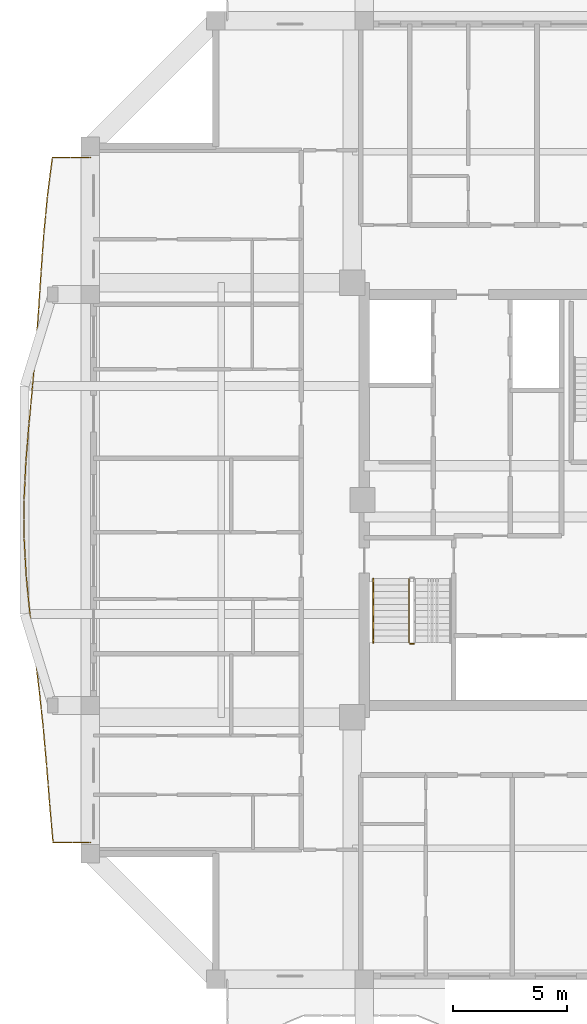
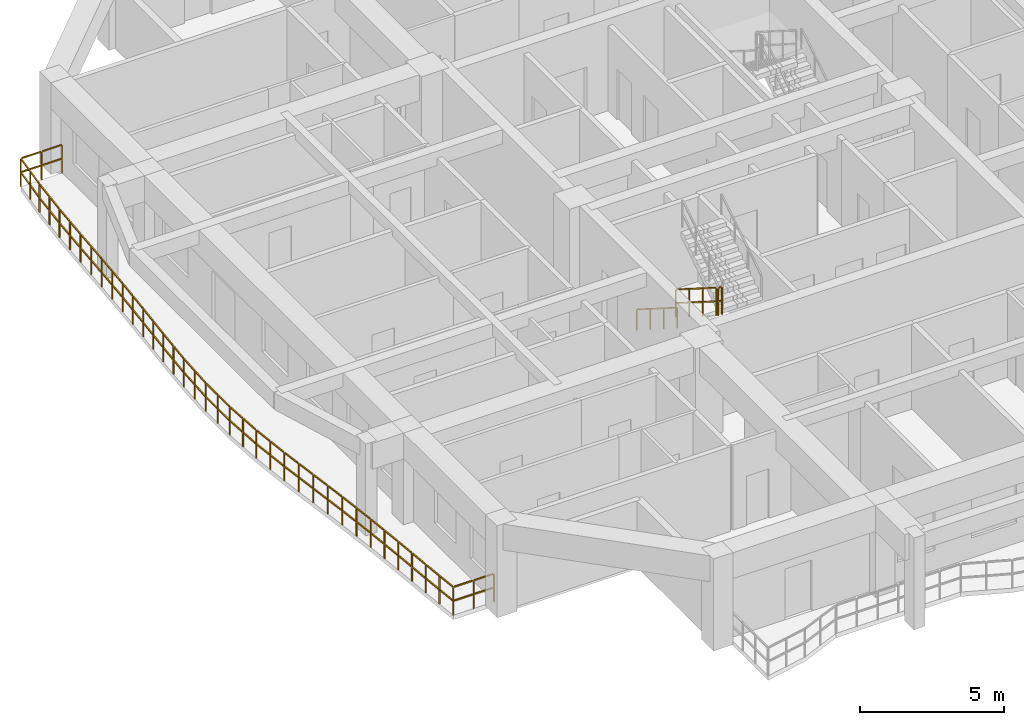
# One storey, part 11 of 14: 4 railings.
"""IFC4 building model written with IfcOpenShell, lengths in metres."""

from ifc_helpers import new_model, si_unit, direction, frame, origin, origin_2d, place, context, subcontext, project, spatial, rectangle, extrude, material, type_object, element, save


model = new_model("IFC4")

# Units and contexts
model_context = context("Model", 3, precision=1e-05, world=origin(), true_north=direction((0.0, 1.0)))
body_context = subcontext(model_context, "Body", "Model", "MODEL_VIEW")
ifc_project = project(units=[si_unit("LENGTHUNIT", "METRE"), si_unit("AREAUNIT", "SQUARE_METRE"), si_unit("VOLUMEUNIT", "CUBIC_METRE"), si_unit("PLANEANGLEUNIT", "RADIAN"), si_unit("MASSUNIT", "GRAM", prefix="KILO")], contexts=[model_context])

# Site, building, storey
site_placement = place(None, origin())
site = spatial("IfcSite", under=ifc_project, at=site_placement, CompositionType="ELEMENT")
building_placement = place(site_placement, origin())
building = spatial("IfcBuilding", under=site, at=building_placement, Name="Saelheon Loggia Tower", CompositionType="ELEMENT")
storey_placement = place(building_placement, frame((0.0, 0.0, 202.60009765625)))
storey = spatial("IfcBuildingStorey", under=building, at=storey_placement, Name="L63", CompositionType="ELEMENT", Elevation=202.60009765625)

# Railings
ifc_material_1 = material(Name="Architectural Precast Concrete and Laminated Glass Guard", Category="concrete")
railing_type_1 = type_object("IfcRailingType", Name="Guard_Loggia_RL_LOG", PredefinedType="BALUSTRADE", material=ifc_material_1)
railing_1_placement = place(storey_placement, frame((19.5, 42.0, 0.0)))
element("IfcRailing", 1, at=railing_1_placement, inside=storey, type_object=railing_type_1, Name="L63 West Loggia Balustrade", PredefinedType="BALUSTRADE", context=body_context, shape_type="SweptSolid", body=[
    extrude(rectangle(XDim=0.048095703125, YDim=0.048095703125, at=origin_2d()), frame((-0.033203125, 0.0, 1.19580078125), z_axis=(-1.0, 0.0, 0.0), x_axis=(0.0, -1.0, 0.0)), (0.0, 0.0, 1.0), 0.765869140625),
    extrude(rectangle(XDim=0.048095703125, YDim=0.048095703125, at=origin_2d()), frame((-0.033203125, 0.0, 0.60986328125), z_axis=(-1.0, 0.0, 0.0), x_axis=(0.0, -1.0, 0.0)), (0.0, 0.0, 1.0), 0.765869140625),
    extrude(rectangle(XDim=0.048095703125, YDim=0.048095703125, at=origin_2d()), frame((-0.865478515625, 0.0, 1.19580078125), z_axis=(-1.0, 0.0, 0.0), x_axis=(0.0, -1.0, 0.0)), (0.0, 0.0, 1.0), 0.765869140625),
    extrude(rectangle(XDim=0.048095703125, YDim=0.048095703125, at=origin_2d()), frame((-0.865478515625, 0.0, 0.60986328125), z_axis=(-1.0, 0.0, 0.0), x_axis=(0.0, -1.0, 0.0)), (0.0, 0.0, 1.0), 0.765869140625),
    extrude(rectangle(XDim=0.048095703125, YDim=0.048095703125, at=origin_2d()), frame((-1.668701171875, -0.032958984375, 1.19580078125), z_axis=(-0.12755645116, -0.991831312153, 0.0), x_axis=(0.991831312153, -0.12755645116, 0.0)), (0.0, 0.0, 1.0), 0.773681640625),
    extrude(rectangle(XDim=0.048095703125, YDim=0.048095703125, at=origin_2d()), frame((-1.668701171875, -0.032958984375, 0.60986328125), z_axis=(-0.12755645116, -0.991831312153, 0.0), x_axis=(0.991831312153, -0.12755645116, 0.0)), (0.0, 0.0, 1.0), 0.773681640625),
    extrude(rectangle(XDim=0.048095703125, YDim=0.048095703125, at=origin_2d()), frame((-1.77587890625, -0.866455078125, 1.19580078125), z_axis=(-0.12755645116, -0.991831312153, 0.0), x_axis=(0.991831312153, -0.12755645116, 0.0)), (0.0, 0.0, 1.0), 0.773681640625),
    extrude(rectangle(XDim=0.048095703125, YDim=0.048095703125, at=origin_2d()), frame((-1.77587890625, -0.866455078125, 0.60986328125), z_axis=(-0.12755645116, -0.991831312153, 0.0), x_axis=(0.991831312153, -0.12755645116, 0.0)), (0.0, 0.0, 1.0), 0.773681640625),
    extrude(rectangle(XDim=0.048095703125, YDim=0.048095703125, at=origin_2d()), frame((-1.882080078125, -1.699951171875, 1.19580078125), z_axis=(-0.095084372912, -0.995469217017, 0.0), x_axis=(0.995469217017, -0.095084372912, 0.0)), (0.0, 0.0, 1.0), 0.7705078125),
    extrude(rectangle(XDim=0.048095703125, YDim=0.048095703125, at=origin_2d()), frame((-1.882080078125, -1.699951171875, 0.60986328125), z_axis=(-0.095084372912, -0.995469217017, 0.0), x_axis=(0.995469217017, -0.095084372912, 0.0)), (0.0, 0.0, 1.0), 0.7705078125),
    extrude(rectangle(XDim=0.048095703125, YDim=0.048095703125, at=origin_2d()), frame((-1.961669921875, -2.533203125, 1.19580078125), z_axis=(-0.095084372912, -0.995469217017, 0.0), x_axis=(0.995469217017, -0.095084372912, 0.0)), (0.0, 0.0, 1.0), 0.7705078125),
    extrude(rectangle(XDim=0.048095703125, YDim=0.048095703125, at=origin_2d()), frame((-1.961669921875, -2.533203125, 0.60986328125), z_axis=(-0.095084372912, -0.995469217017, 0.0), x_axis=(0.995469217017, -0.095084372912, 0.0)), (0.0, 0.0, 1.0), 0.7705078125),
    extrude(rectangle(XDim=0.048095703125, YDim=0.048095703125, at=origin_2d()), frame((-2.04052734375, -3.366455078125, 1.19580078125), z_axis=(-0.07188037557, -0.997413260193, 0.0), x_axis=(0.997413260193, -0.07188037557, 0.0)), (0.0, 0.0, 1.0), 0.76904296875),
    extrude(rectangle(XDim=0.048095703125, YDim=0.048095703125, at=origin_2d()), frame((-2.04052734375, -3.366455078125, 0.60986328125), z_axis=(-0.07188037557, -0.997413260193, 0.0), x_axis=(0.997413260193, -0.07188037557, 0.0)), (0.0, 0.0, 1.0), 0.76904296875),
    extrude(rectangle(XDim=0.048095703125, YDim=0.048095703125, at=origin_2d()), frame((-2.1005859375, -4.19970703125, 1.19580078125), z_axis=(-0.07188037557, -0.997413260193, 0.0), x_axis=(0.997413260193, -0.07188037557, 0.0)), (0.0, 0.0, 1.0), 0.76904296875),
    extrude(rectangle(XDim=0.048095703125, YDim=0.048095703125, at=origin_2d()), frame((-2.1005859375, -4.19970703125, 0.60986328125), z_axis=(-0.07188037557, -0.997413260193, 0.0), x_axis=(0.997413260193, -0.07188037557, 0.0)), (0.0, 0.0, 1.0), 0.76904296875),
    extrude(rectangle(XDim=0.048095703125, YDim=0.048095703125, at=origin_2d()), frame((-2.160400390625, -5.033203125, 1.19580078125), z_axis=(-0.064753226783, -0.997901307556, 0.0), x_axis=(0.997901307556, -0.064753226783, 0.0)), (0.0, 0.0, 1.0), 0.7685546875),
    extrude(rectangle(XDim=0.048095703125, YDim=0.048095703125, at=origin_2d()), frame((-2.160400390625, -5.033203125, 0.60986328125), z_axis=(-0.064753226783, -0.997901307556, 0.0), x_axis=(0.997901307556, -0.064753226783, 0.0)), (0.0, 0.0, 1.0), 0.7685546875),
    extrude(rectangle(XDim=0.048095703125, YDim=0.048095703125, at=origin_2d()), frame((-2.21435546875, -5.866455078125, 1.19580078125), z_axis=(-0.064753226783, -0.997901307556, 0.0), x_axis=(0.997901307556, -0.064753226783, 0.0)), (0.0, 0.0, 1.0), 0.7685546875),
    extrude(rectangle(XDim=0.048095703125, YDim=0.048095703125, at=origin_2d()), frame((-2.21435546875, -5.866455078125, 0.60986328125), z_axis=(-0.064753226783, -0.997901307556, 0.0), x_axis=(0.997901307556, -0.064753226783, 0.0)), (0.0, 0.0, 1.0), 0.7685546875),
    extrude(rectangle(XDim=0.048095703125, YDim=0.048095703125, at=origin_2d()), frame((-2.268798828125, -6.699951171875, 1.19580078125), z_axis=(-0.072762955311, -0.997349262964, 0.0), x_axis=(0.997349262964, -0.072762955311, 0.0)), (0.0, 0.0, 1.0), 0.76904296875),
    extrude(rectangle(XDim=0.048095703125, YDim=0.048095703125, at=origin_2d()), frame((-2.268798828125, -6.699951171875, 0.60986328125), z_axis=(-0.072762955311, -0.997349262964, 0.0), x_axis=(0.997349262964, -0.072762955311, 0.0)), (0.0, 0.0, 1.0), 0.76904296875),
    extrude(rectangle(XDim=0.048095703125, YDim=0.048095703125, at=origin_2d()), frame((-2.32958984375, -7.533203125, 1.19580078125), z_axis=(-0.072762955311, -0.997349262964, 0.0), x_axis=(0.997349262964, -0.072762955311, 0.0)), (0.0, 0.0, 1.0), 0.76904296875),
    extrude(rectangle(XDim=0.048095703125, YDim=0.048095703125, at=origin_2d()), frame((-2.32958984375, -7.533203125, 0.60986328125), z_axis=(-0.072762955311, -0.997349262964, 0.0), x_axis=(0.997349262964, -0.072762955311, 0.0)), (0.0, 0.0, 1.0), 0.76904296875),
    extrude(rectangle(XDim=0.048095703125, YDim=0.048095703125, at=origin_2d()), frame((-2.390869140625, -8.366455078125, 1.19580078125), z_axis=(-0.086390322179, -0.99626136743, 0.0), x_axis=(0.99626136743, -0.086390322179, 0.0)), (0.0, 0.0, 1.0), 0.77001953125),
    extrude(rectangle(XDim=0.048095703125, YDim=0.048095703125, at=origin_2d()), frame((-2.390869140625, -8.366455078125, 0.60986328125), z_axis=(-0.086390322179, -0.99626136743, 0.0), x_axis=(0.99626136743, -0.086390322179, 0.0)), (0.0, 0.0, 1.0), 0.77001953125),
    extrude(rectangle(XDim=0.048095703125, YDim=0.048095703125, at=origin_2d()), frame((-2.463134765625, -9.19970703125, 1.19580078125), z_axis=(-0.086390322179, -0.99626136743, 0.0), x_axis=(0.99626136743, -0.086390322179, 0.0)), (0.0, 0.0, 1.0), 0.77001953125),
    extrude(rectangle(XDim=0.048095703125, YDim=0.048095703125, at=origin_2d()), frame((-2.463134765625, -9.19970703125, 0.60986328125), z_axis=(-0.086390322179, -0.99626136743, 0.0), x_axis=(0.99626136743, -0.086390322179, 0.0)), (0.0, 0.0, 1.0), 0.77001953125),
    extrude(rectangle(XDim=0.048095703125, YDim=0.048095703125, at=origin_2d()), frame((-2.53564453125, -10.033203125, 1.19580078125), z_axis=(-0.092613280801, -0.995702154371, 0.0), x_axis=(0.995702154371, -0.092613280801, 0.0)), (0.0, 0.0, 1.0), 0.7705078125),
    extrude(rectangle(XDim=0.048095703125, YDim=0.048095703125, at=origin_2d()), frame((-2.53564453125, -10.033203125, 0.60986328125), z_axis=(-0.092613280801, -0.995702154371, 0.0), x_axis=(0.995702154371, -0.092613280801, 0.0)), (0.0, 0.0, 1.0), 0.7705078125),
    extrude(rectangle(XDim=0.048095703125, YDim=0.048095703125, at=origin_2d()), frame((-2.613037109375, -10.866455078125, 1.19580078125), z_axis=(-0.092613280801, -0.995702154371, 0.0), x_axis=(0.995702154371, -0.092613280801, 0.0)), (0.0, 0.0, 1.0), 0.7705078125),
    extrude(rectangle(XDim=0.048095703125, YDim=0.048095703125, at=origin_2d()), frame((-2.613037109375, -10.866455078125, 0.60986328125), z_axis=(-0.092613280801, -0.995702154371, 0.0), x_axis=(0.995702154371, -0.092613280801, 0.0)), (0.0, 0.0, 1.0), 0.7705078125),
    extrude(rectangle(XDim=0.048095703125, YDim=0.048095703125, at=origin_2d()), frame((-2.690185546875, -11.699951171875, 1.19580078125), z_axis=(-0.080894281966, -0.996722687183, 0.0), x_axis=(0.996722687183, -0.080894281966, 0.0)), (0.0, 0.0, 1.0), 0.76953125),
    extrude(rectangle(XDim=0.048095703125, YDim=0.048095703125, at=origin_2d()), frame((-2.690185546875, -11.699951171875, 0.60986328125), z_axis=(-0.080894281966, -0.996722687183, 0.0), x_axis=(0.996722687183, -0.080894281966, 0.0)), (0.0, 0.0, 1.0), 0.76953125),
    extrude(rectangle(XDim=0.048095703125, YDim=0.048095703125, at=origin_2d()), frame((-2.7578125, -12.533203125, 1.19580078125), z_axis=(-0.080894281966, -0.996722687183, 0.0), x_axis=(0.996722687183, -0.080894281966, 0.0)), (0.0, 0.0, 1.0), 0.76953125),
    extrude(rectangle(XDim=0.048095703125, YDim=0.048095703125, at=origin_2d()), frame((-2.7578125, -12.533203125, 0.60986328125), z_axis=(-0.080894281966, -0.996722687183, 0.0), x_axis=(0.996722687183, -0.080894281966, 0.0)), (0.0, 0.0, 1.0), 0.76953125),
    extrude(rectangle(XDim=0.048095703125, YDim=0.048095703125, at=origin_2d()), frame((-2.824462890625, -13.366455078125, 1.19580078125), z_axis=(-0.047843201799, -0.998854858346, 0.0), x_axis=(0.998854858346, -0.047843201799, 0.0)), (0.0, 0.0, 1.0), 0.767822265625),
    extrude(rectangle(XDim=0.048095703125, YDim=0.048095703125, at=origin_2d()), frame((-2.824462890625, -13.366455078125, 0.60986328125), z_axis=(-0.047843201799, -0.998854858346, 0.0), x_axis=(0.998854858346, -0.047843201799, 0.0)), (0.0, 0.0, 1.0), 0.767822265625),
    extrude(rectangle(XDim=0.048095703125, YDim=0.048095703125, at=origin_2d()), frame((-2.8642578125, -14.19970703125, 1.19580078125), z_axis=(-0.047843201799, -0.998854858346, 0.0), x_axis=(0.998854858346, -0.047843201799, 0.0)), (0.0, 0.0, 1.0), 0.767822265625),
    extrude(rectangle(XDim=0.048095703125, YDim=0.048095703125, at=origin_2d()), frame((-2.8642578125, -14.19970703125, 0.60986328125), z_axis=(-0.047843201799, -0.998854858346, 0.0), x_axis=(0.998854858346, -0.047843201799, 0.0)), (0.0, 0.0, 1.0), 0.767822265625),
    extrude(rectangle(XDim=0.048095703125, YDim=0.048095703125, at=origin_2d()), frame((-2.902587890625, -15.033203125, 1.19580078125), z_axis=(0.001611247359, -0.99999870194, 0.0), x_axis=(0.99999870194, 0.001611247359, 0.0)), (0.0, 0.0, 1.0), 0.766845703125),
    extrude(rectangle(XDim=0.048095703125, YDim=0.048095703125, at=origin_2d()), frame((-2.902587890625, -15.033203125, 0.60986328125), z_axis=(0.001611247359, -0.99999870194, 0.0), x_axis=(0.99999870194, 0.001611247359, 0.0)), (0.0, 0.0, 1.0), 0.766845703125),
    extrude(rectangle(XDim=0.048095703125, YDim=0.048095703125, at=origin_2d()), frame((-2.901123046875, -15.86669921875, 1.19580078125), z_axis=(0.001611247359, -0.99999870194, 0.0), x_axis=(0.99999870194, 0.001611247359, 0.0)), (0.0, 0.0, 1.0), 0.766845703125),
    extrude(rectangle(XDim=0.048095703125, YDim=0.048095703125, at=origin_2d()), frame((-2.901123046875, -15.86669921875, 0.60986328125), z_axis=(0.001611247359, -0.99999870194, 0.0), x_axis=(0.99999870194, 0.001611247359, 0.0)), (0.0, 0.0, 1.0), 0.766845703125),
    extrude(rectangle(XDim=0.048095703125, YDim=0.048095703125, at=origin_2d()), frame((-2.898193359375, -16.699951171875, 1.19580078125), z_axis=(0.05485429076, -0.998494369932, 0.0), x_axis=(0.998494369932, 0.05485429076, 0.0)), (0.0, 0.0, 1.0), 0.76806640625),
    extrude(rectangle(XDim=0.048095703125, YDim=0.048095703125, at=origin_2d()), frame((-2.898193359375, -16.699951171875, 0.60986328125), z_axis=(0.05485429076, -0.998494369932, 0.0), x_axis=(0.998494369932, 0.05485429076, 0.0)), (0.0, 0.0, 1.0), 0.76806640625),
    extrude(rectangle(XDim=0.048095703125, YDim=0.048095703125, at=origin_2d()), frame((-2.852294921875, -17.533203125, 1.19580078125), z_axis=(0.05485429076, -0.998494369932, 0.0), x_axis=(0.998494369932, 0.05485429076, 0.0)), (0.0, 0.0, 1.0), 0.76806640625),
    extrude(rectangle(XDim=0.048095703125, YDim=0.048095703125, at=origin_2d()), frame((-2.852294921875, -17.533203125, 0.60986328125), z_axis=(0.05485429076, -0.998494369932, 0.0), x_axis=(0.998494369932, 0.05485429076, 0.0)), (0.0, 0.0, 1.0), 0.76806640625),
    extrude(rectangle(XDim=0.048095703125, YDim=0.048095703125, at=origin_2d()), frame((-2.80517578125, -18.3662109375, 1.19580078125), z_axis=(0.097814897241, -0.995204625129, 0.0), x_axis=(0.995204625129, 0.097814897241, 0.0)), (0.0, 0.0, 1.0), 0.77099609375),
    extrude(rectangle(XDim=0.048095703125, YDim=0.048095703125, at=origin_2d()), frame((-2.80517578125, -18.3662109375, 0.60986328125), z_axis=(0.097814897241, -0.995204625129, 0.0), x_axis=(0.995204625129, 0.097814897241, 0.0)), (0.0, 0.0, 1.0), 0.77099609375),
    extrude(rectangle(XDim=0.048095703125, YDim=0.048095703125, at=origin_2d()), frame((-2.72314453125, -19.19970703125, 1.19580078125), z_axis=(0.097814897241, -0.995204625129, 0.0), x_axis=(0.995204625129, 0.097814897241, 0.0)), (0.0, 0.0, 1.0), 0.77099609375),
    extrude(rectangle(XDim=0.048095703125, YDim=0.048095703125, at=origin_2d()), frame((-2.72314453125, -19.19970703125, 0.60986328125), z_axis=(0.097814897241, -0.995204625129, 0.0), x_axis=(0.995204625129, 0.097814897241, 0.0)), (0.0, 0.0, 1.0), 0.77099609375),
    extrude(rectangle(XDim=0.048095703125, YDim=0.048095703125, at=origin_2d()), frame((-2.640625, -20.032958984375, 1.19580078125), z_axis=(0.120257541517, -0.992742727855, 0.0), x_axis=(0.992742727855, 0.120257541517, 0.0)), (0.0, 0.0, 1.0), 0.77294921875),
    extrude(rectangle(XDim=0.048095703125, YDim=0.048095703125, at=origin_2d()), frame((-2.640625, -20.032958984375, 0.60986328125), z_axis=(0.120257541517, -0.992742727855, 0.0), x_axis=(0.992742727855, 0.120257541517, 0.0)), (0.0, 0.0, 1.0), 0.77294921875),
    extrude(rectangle(XDim=0.048095703125, YDim=0.048095703125, at=origin_2d()), frame((-2.53955078125, -20.866455078125, 1.19580078125), z_axis=(0.120257541517, -0.992742727855, 0.0), x_axis=(0.992742727855, 0.120257541517, 0.0)), (0.0, 0.0, 1.0), 0.77294921875),
    extrude(rectangle(XDim=0.048095703125, YDim=0.048095703125, at=origin_2d()), frame((-2.53955078125, -20.866455078125, 0.60986328125), z_axis=(0.120257541517, -0.992742727855, 0.0), x_axis=(0.992742727855, 0.120257541517, 0.0)), (0.0, 0.0, 1.0), 0.77294921875),
    extrude(rectangle(XDim=0.048095703125, YDim=0.048095703125, at=origin_2d()), frame((-2.438720703125, -21.69970703125, 1.19580078125), z_axis=(0.120704864323, -0.992688438398, 0.0), x_axis=(0.992688438398, 0.120704864323, 0.0)), (0.0, 0.0, 1.0), 0.77294921875),
    extrude(rectangle(XDim=0.048095703125, YDim=0.048095703125, at=origin_2d()), frame((-2.438720703125, -21.69970703125, 0.60986328125), z_axis=(0.120704864323, -0.992688438398, 0.0), x_axis=(0.992688438398, 0.120704864323, 0.0)), (0.0, 0.0, 1.0), 0.77294921875),
    extrude(rectangle(XDim=0.048095703125, YDim=0.048095703125, at=origin_2d()), frame((-2.33740234375, -22.532958984375, 1.19580078125), z_axis=(0.120704864323, -0.992688438398, 0.0), x_axis=(0.992688438398, 0.120704864323, 0.0)), (0.0, 0.0, 1.0), 0.77294921875),
    extrude(rectangle(XDim=0.048095703125, YDim=0.048095703125, at=origin_2d()), frame((-2.33740234375, -22.532958984375, 0.60986328125), z_axis=(0.120704864323, -0.992688438398, 0.0), x_axis=(0.992688438398, 0.120704864323, 0.0)), (0.0, 0.0, 1.0), 0.77294921875),
    extrude(rectangle(XDim=0.048095703125, YDim=0.048095703125, at=origin_2d()), frame((-2.236572265625, -23.3662109375, 1.19580078125), z_axis=(0.106178269107, -0.994347110002, 0.0), x_axis=(0.994347110002, 0.106178269107, 0.0)), (0.0, 0.0, 1.0), 0.771728515625),
    extrude(rectangle(XDim=0.048095703125, YDim=0.048095703125, at=origin_2d()), frame((-2.236572265625, -23.3662109375, 0.60986328125), z_axis=(0.106178269107, -0.994347110002, 0.0), x_axis=(0.994347110002, 0.106178269107, 0.0)), (0.0, 0.0, 1.0), 0.771728515625),
    extrude(rectangle(XDim=0.048095703125, YDim=0.048095703125, at=origin_2d()), frame((-2.1474609375, -24.19970703125, 1.19580078125), z_axis=(0.106178269107, -0.994347110002, 0.0), x_axis=(0.994347110002, 0.106178269107, 0.0)), (0.0, 0.0, 1.0), 0.771728515625),
    extrude(rectangle(XDim=0.048095703125, YDim=0.048095703125, at=origin_2d()), frame((-2.1474609375, -24.19970703125, 0.60986328125), z_axis=(0.106178269107, -0.994347110002, 0.0), x_axis=(0.994347110002, 0.106178269107, 0.0)), (0.0, 0.0, 1.0), 0.771728515625),
    extrude(rectangle(XDim=0.048095703125, YDim=0.048095703125, at=origin_2d()), frame((-2.05908203125, -25.033203125, 1.19580078125), z_axis=(0.088417548039, -0.99608349911, 0.0), x_axis=(0.99608349911, 0.088417548039, 0.0)), (0.0, 0.0, 1.0), 0.770263671875),
    extrude(rectangle(XDim=0.048095703125, YDim=0.048095703125, at=origin_2d()), frame((-2.05908203125, -25.033203125, 0.60986328125), z_axis=(0.088417548039, -0.99608349911, 0.0), x_axis=(0.99608349911, 0.088417548039, 0.0)), (0.0, 0.0, 1.0), 0.770263671875),
    extrude(rectangle(XDim=0.048095703125, YDim=0.048095703125, at=origin_2d()), frame((-1.985107421875, -25.866455078125, 1.19580078125), z_axis=(0.088417548039, -0.99608349911, 0.0), x_axis=(0.99608349911, 0.088417548039, 0.0)), (0.0, 0.0, 1.0), 0.770263671875),
    extrude(rectangle(XDim=0.048095703125, YDim=0.048095703125, at=origin_2d()), frame((-1.985107421875, -25.866455078125, 0.60986328125), z_axis=(0.088417548039, -0.99608349911, 0.0), x_axis=(0.99608349911, 0.088417548039, 0.0)), (0.0, 0.0, 1.0), 0.770263671875),
    extrude(rectangle(XDim=0.048095703125, YDim=0.048095703125, at=origin_2d()), frame((-1.911376953125, -26.699951171875, 1.19580078125), z_axis=(0.07973361399, -0.996816207132, 0.0), x_axis=(0.996816207132, 0.07973361399, 0.0)), (0.0, 0.0, 1.0), 0.76953125),
    extrude(rectangle(XDim=0.048095703125, YDim=0.048095703125, at=origin_2d()), frame((-1.911376953125, -26.699951171875, 0.60986328125), z_axis=(0.07973361399, -0.996816207132, 0.0), x_axis=(0.996816207132, 0.07973361399, 0.0)), (0.0, 0.0, 1.0), 0.76953125),
    extrude(rectangle(XDim=0.048095703125, YDim=0.048095703125, at=origin_2d()), frame((-1.8447265625, -27.533203125, 1.19580078125), z_axis=(0.07973361399, -0.996816207132, 0.0), x_axis=(0.996816207132, 0.07973361399, 0.0)), (0.0, 0.0, 1.0), 0.76953125),
    extrude(rectangle(XDim=0.048095703125, YDim=0.048095703125, at=origin_2d()), frame((-1.8447265625, -27.533203125, 0.60986328125), z_axis=(0.07973361399, -0.996816207132, 0.0), x_axis=(0.996816207132, 0.07973361399, 0.0)), (0.0, 0.0, 1.0), 0.76953125),
    extrude(rectangle(XDim=0.048095703125, YDim=0.048095703125, at=origin_2d()), frame((-1.77783203125, -28.366455078125, 1.19580078125), z_axis=(0.087114455938, -0.996198309357, 0.0), x_axis=(0.996198309357, 0.087114455938, 0.0)), (0.0, 0.0, 1.0), 0.77001953125),
    extrude(rectangle(XDim=0.048095703125, YDim=0.048095703125, at=origin_2d()), frame((-1.77783203125, -28.366455078125, 0.60986328125), z_axis=(0.087114455938, -0.996198309357, 0.0), x_axis=(0.996198309357, 0.087114455938, 0.0)), (0.0, 0.0, 1.0), 0.77001953125),
    extrude(rectangle(XDim=0.048095703125, YDim=0.048095703125, at=origin_2d()), frame((-1.705078125, -29.19970703125, 1.19580078125), z_axis=(0.087114455938, -0.996198309357, 0.0), x_axis=(0.996198309357, 0.087114455938, 0.0)), (0.0, 0.0, 1.0), 0.77001953125),
    extrude(rectangle(XDim=0.048095703125, YDim=0.048095703125, at=origin_2d()), frame((-1.705078125, -29.19970703125, 0.60986328125), z_axis=(0.087114455938, -0.996198309357, 0.0), x_axis=(0.996198309357, 0.087114455938, 0.0)), (0.0, 0.0, 1.0), 0.77001953125),
    extrude(rectangle(XDim=0.048095703125, YDim=0.048095703125, at=origin_2d()), frame((-1.601806640625, -30.0, 1.19580078125), z_axis=(1.0, 0.0, 0.0), x_axis=(0.0, 1.0, 0.0)), (0.0, 0.0, 1.0), 0.7509765625),
    extrude(rectangle(XDim=0.048095703125, YDim=0.048095703125, at=origin_2d()), frame((-1.601806640625, -30.0, 0.60986328125), z_axis=(1.0, 0.0, 0.0), x_axis=(0.0, 1.0, 0.0)), (0.0, 0.0, 1.0), 0.7509765625),
    extrude(rectangle(XDim=0.048095703125, YDim=0.048095703125, at=origin_2d()), frame((-0.7841796875, -30.0, 1.19580078125), z_axis=(1.0, 0.0, 0.0), x_axis=(0.0, 1.0, 0.0)), (0.0, 0.0, 1.0), 0.7509765625),
    extrude(rectangle(XDim=0.048095703125, YDim=0.048095703125, at=origin_2d()), frame((-0.7841796875, -30.0, 0.60986328125), z_axis=(1.0, 0.0, 0.0), x_axis=(0.0, 1.0, 0.0)), (0.0, 0.0, 1.0), 0.7509765625),
    extrude(rectangle(XDim=0.0419921875, YDim=0.0419921875, at=origin_2d()), origin(), (0.0, 0.0, 1.0), 1.16796875),
    extrude(rectangle(XDim=0.0419921875, YDim=0.0419921875, at=origin_2d()), frame((-0.832275390625, 0.0, 0.0)), (0.0, 0.0, 1.0), 1.16796875),
    extrude(rectangle(XDim=0.0419921875, YDim=0.0419921875, at=origin_2d()), frame((-1.66455078125, 0.0, 0.0)), (0.0, 0.0, 1.0), 1.16796875),
    extrude(rectangle(XDim=0.0419921875, YDim=0.0419921875, at=origin_2d()), frame((-1.771728515625, -0.83349609375, 0.0)), (0.0, 0.0, 1.0), 1.16796875),
    extrude(rectangle(XDim=0.0419921875, YDim=0.0419921875, at=origin_2d()), frame((-1.87890625, -1.666748046875, 0.0)), (0.0, 0.0, 1.0), 1.16796875),
    extrude(rectangle(XDim=0.0419921875, YDim=0.0419921875, at=origin_2d()), frame((-1.95849609375, -2.5, 0.0)), (0.0, 0.0, 1.0), 1.16796875),
    extrude(rectangle(XDim=0.0419921875, YDim=0.0419921875, at=origin_2d()), frame((-2.0380859375, -3.333251953125, 0.0)), (0.0, 0.0, 1.0), 1.16796875),
    extrude(rectangle(XDim=0.0419921875, YDim=0.0419921875, at=origin_2d()), frame((-2.09814453125, -4.16650390625, 0.0)), (0.0, 0.0, 1.0), 1.16796875),
    extrude(rectangle(XDim=0.0419921875, YDim=0.0419921875, at=origin_2d()), frame((-2.158203125, -5.0, 0.0)), (0.0, 0.0, 1.0), 1.16796875),
    extrude(rectangle(XDim=0.0419921875, YDim=0.0419921875, at=origin_2d()), frame((-2.21240234375, -5.83349609375, 0.0)), (0.0, 0.0, 1.0), 1.16796875),
    extrude(rectangle(XDim=0.0419921875, YDim=0.0419921875, at=origin_2d()), frame((-2.266357421875, -6.666748046875, 0.0)), (0.0, 0.0, 1.0), 1.16796875),
    extrude(rectangle(XDim=0.0419921875, YDim=0.0419921875, at=origin_2d()), frame((-2.3271484375, -7.5, 0.0)), (0.0, 0.0, 1.0), 1.16796875),
    extrude(rectangle(XDim=0.0419921875, YDim=0.0419921875, at=origin_2d()), frame((-2.387939453125, -8.333251953125, 0.0)), (0.0, 0.0, 1.0), 1.16796875),
    extrude(rectangle(XDim=0.0419921875, YDim=0.0419921875, at=origin_2d()), frame((-2.460205078125, -9.16650390625, 0.0)), (0.0, 0.0, 1.0), 1.16796875),
    extrude(rectangle(XDim=0.0419921875, YDim=0.0419921875, at=origin_2d()), frame((-2.532470703125, -10.0, 0.0)), (0.0, 0.0, 1.0), 1.16796875),
    extrude(rectangle(XDim=0.0419921875, YDim=0.0419921875, at=origin_2d()), frame((-2.60986328125, -10.83349609375, 0.0)), (0.0, 0.0, 1.0), 1.16796875),
    extrude(rectangle(XDim=0.0419921875, YDim=0.0419921875, at=origin_2d()), frame((-2.6875, -11.666748046875, 0.0)), (0.0, 0.0, 1.0), 1.16796875),
    extrude(rectangle(XDim=0.0419921875, YDim=0.0419921875, at=origin_2d()), frame((-2.755126953125, -12.5, 0.0)), (0.0, 0.0, 1.0), 1.16796875),
    extrude(rectangle(XDim=0.0419921875, YDim=0.0419921875, at=origin_2d()), frame((-2.82275390625, -13.333251953125, 0.0)), (0.0, 0.0, 1.0), 1.16796875),
    extrude(rectangle(XDim=0.0419921875, YDim=0.0419921875, at=origin_2d()), frame((-2.86279296875, -14.16650390625, 0.0)), (0.0, 0.0, 1.0), 1.16796875),
    extrude(rectangle(XDim=0.0419921875, YDim=0.0419921875, at=origin_2d()), frame((-2.902587890625, -15.0, 0.0)), (0.0, 0.0, 1.0), 1.16796875),
    extrude(rectangle(XDim=0.0419921875, YDim=0.0419921875, at=origin_2d()), frame((-2.9013671875, -15.83349609375, 0.0)), (0.0, 0.0, 1.0), 1.16796875),
    extrude(rectangle(XDim=0.0419921875, YDim=0.0419921875, at=origin_2d()), frame((-2.89990234375, -16.666748046875, 0.0)), (0.0, 0.0, 1.0), 1.16796875),
    extrude(rectangle(XDim=0.0419921875, YDim=0.0419921875, at=origin_2d()), frame((-2.85400390625, -17.5, 0.0)), (0.0, 0.0, 1.0), 1.16796875),
    extrude(rectangle(XDim=0.0419921875, YDim=0.0419921875, at=origin_2d()), frame((-2.808349609375, -18.333251953125, 0.0)), (0.0, 0.0, 1.0), 1.16796875),
    extrude(rectangle(XDim=0.0419921875, YDim=0.0419921875, at=origin_2d()), frame((-2.7265625, -19.16650390625, 0.0)), (0.0, 0.0, 1.0), 1.16796875),
    extrude(rectangle(XDim=0.0419921875, YDim=0.0419921875, at=origin_2d()), frame((-2.64453125, -20.0, 0.0)), (0.0, 0.0, 1.0), 1.16796875),
    extrude(rectangle(XDim=0.0419921875, YDim=0.0419921875, at=origin_2d()), frame((-2.54345703125, -20.83349609375, 0.0)), (0.0, 0.0, 1.0), 1.16796875),
    extrude(rectangle(XDim=0.0419921875, YDim=0.0419921875, at=origin_2d()), frame((-2.442626953125, -21.666748046875, 0.0)), (0.0, 0.0, 1.0), 1.16796875),
    extrude(rectangle(XDim=0.0419921875, YDim=0.0419921875, at=origin_2d()), frame((-2.34130859375, -22.5, 0.0)), (0.0, 0.0, 1.0), 1.16796875),
    extrude(rectangle(XDim=0.0419921875, YDim=0.0419921875, at=origin_2d()), frame((-2.239990234375, -23.333251953125, 0.0)), (0.0, 0.0, 1.0), 1.16796875),
    extrude(rectangle(XDim=0.0419921875, YDim=0.0419921875, at=origin_2d()), frame((-2.15087890625, -24.16650390625, 0.0)), (0.0, 0.0, 1.0), 1.16796875),
    extrude(rectangle(XDim=0.0419921875, YDim=0.0419921875, at=origin_2d()), frame((-2.06201171875, -25.0, 0.0)), (0.0, 0.0, 1.0), 1.16796875),
    extrude(rectangle(XDim=0.0419921875, YDim=0.0419921875, at=origin_2d()), frame((-1.988037109375, -25.83349609375, 0.0)), (0.0, 0.0, 1.0), 1.16796875),
    extrude(rectangle(XDim=0.0419921875, YDim=0.0419921875, at=origin_2d()), frame((-1.9140625, -26.666748046875, 0.0)), (0.0, 0.0, 1.0), 1.16796875),
    extrude(rectangle(XDim=0.0419921875, YDim=0.0419921875, at=origin_2d()), frame((-1.847412109375, -27.5, 0.0)), (0.0, 0.0, 1.0), 1.16796875),
    extrude(rectangle(XDim=0.0419921875, YDim=0.0419921875, at=origin_2d()), frame((-1.78076171875, -28.333251953125, 0.0)), (0.0, 0.0, 1.0), 1.16796875),
    extrude(rectangle(XDim=0.0419921875, YDim=0.0419921875, at=origin_2d()), frame((-1.7080078125, -29.16650390625, 0.0)), (0.0, 0.0, 1.0), 1.16796875),
    extrude(rectangle(XDim=0.0419921875, YDim=0.0419921875, at=origin_2d()), frame((-1.635009765625, -30.0, 0.0)), (0.0, 0.0, 1.0), 1.16796875),
    extrude(rectangle(XDim=0.0419921875, YDim=0.0419921875, at=origin_2d()), frame((-0.8173828125, -30.0, 0.0)), (0.0, 0.0, 1.0), 1.16796875),
    extrude(rectangle(XDim=0.0419921875, YDim=0.0419921875, at=origin_2d()), frame((0.0, -30.0, 0.0)), (0.0, 0.0, 1.0), 1.16796875),
])
ifc_material_2 = material(Name="Galvanised Steel S275 Stairwell Guardrail", Category="steel")
railing_type_2 = type_object("IfcRailingType", Name="Guard_StairWell_RL_STG", PredefinedType="GUARDRAIL", material=ifc_material_2)
railing_2_placement = place(storey_placement, frame((33.4599609375, 23.550048828125, 0.17724609375)))
element("IfcRailing", 2, at=railing_2_placement, inside=storey, type_object=railing_type_2, Name="L63 ST1 stair guard 1", PredefinedType="GUARDRAIL", context=body_context, shape_type="SweptSolid", body=[
    extrude(rectangle(XDim=0.048095703125, YDim=0.048095703125, at=origin_2d()), frame((0.0, -0.028076171875, 1.193603515625), z_axis=(0.0, -0.844908973607, 0.534910110503), x_axis=(1.0, 0.0, 0.0)), (0.0, 0.0, 1.0), 1.0380859375),
    extrude(rectangle(XDim=0.048095703125, YDim=0.048095703125, at=origin_2d()), frame((0.0, -0.028076171875, 0.61767578125), z_axis=(0.0, -0.844908973607, 0.534910110503), x_axis=(1.0, 0.0, 0.0)), (0.0, 0.0, 1.0), 1.0380859375),
    extrude(rectangle(XDim=0.048095703125, YDim=0.048095703125, at=origin_2d()), frame((0.0, -0.96142578125, 1.78466796875), z_axis=(0.0, -0.844908973607, 0.534910110503), x_axis=(1.0, 0.0, 0.0)), (0.0, 0.0, 1.0), 1.0380859375),
    extrude(rectangle(XDim=0.048095703125, YDim=0.048095703125, at=origin_2d()), frame((0.0, -0.96142578125, 1.208740234375), z_axis=(0.0, -0.844908973607, 0.534910110503), x_axis=(1.0, 0.0, 0.0)), (0.0, 0.0, 1.0), 1.0380859375),
    extrude(rectangle(XDim=0.048095703125, YDim=0.048095703125, at=origin_2d()), frame((0.0, -1.894775390625, 2.37548828125), z_axis=(0.0, -0.844908973607, 0.534910110503), x_axis=(1.0, 0.0, 0.0)), (0.0, 0.0, 1.0), 1.0380859375),
    extrude(rectangle(XDim=0.048095703125, YDim=0.048095703125, at=origin_2d()), frame((0.0, -1.894775390625, 1.799560546875), z_axis=(0.0, -0.844908973607, 0.534910110503), x_axis=(1.0, 0.0, 0.0)), (0.0, 0.0, 1.0), 1.0380859375),
    extrude(rectangle(XDim=0.0419921875, YDim=0.0419921875, at=origin_2d()), origin(), (0.0, 0.0, 1.0), 1.14794921875),
    extrude(rectangle(XDim=0.0419921875, YDim=0.0419921875, at=origin_2d()), frame((0.0, -0.933349609375, 0.5908203125)), (0.0, 0.0, 1.0), 1.14794921875),
    extrude(rectangle(XDim=0.0419921875, YDim=0.0419921875, at=origin_2d()), frame((0.0, -1.86669921875, 1.181884765625)), (0.0, 0.0, 1.0), 1.14794921875),
    extrude(rectangle(XDim=0.0419921875, YDim=0.0419921875, at=origin_2d()), frame((0.0, -2.800048828125, 1.772705078125)), (0.0, 0.0, 1.0), 1.14794921875),
])
railing_3_placement = place(storey_placement, frame((33.510009765625, 20.699951171875, 1.949951171875)))
element("IfcRailing", 3, at=railing_3_placement, inside=storey, type_object=railing_type_2, Name="L63 ST1 stair guard 2", PredefinedType="GUARDRAIL", context=body_context, shape_type="SweptSolid", body=[
    extrude(rectangle(XDim=0.048095703125, YDim=0.048095703125, at=origin_2d()), frame((0.033203125, 0.0, 1.17578125), z_axis=(1.0, 0.0, 0.0), x_axis=(0.0, 1.0, 0.0)), (0.0, 0.0, 1.0), 0.093505859375),
    extrude(rectangle(XDim=0.048095703125, YDim=0.048095703125, at=origin_2d()), frame((0.033203125, 0.0, 0.60009765625), z_axis=(1.0, 0.0, 0.0), x_axis=(0.0, 1.0, 0.0)), (0.0, 0.0, 1.0), 0.093505859375),
    extrude(rectangle(XDim=0.0419921875, YDim=0.0419921875, at=origin_2d()), origin(), (0.0, 0.0, 1.0), 1.14794921875),
    extrude(rectangle(XDim=0.0419921875, YDim=0.0419921875, at=origin_2d()), frame((0.159912109375, 0.0, 0.0)), (0.0, 0.0, 1.0), 1.14794921875),
])
ifc_material_3 = material(Name="Stainless Steel 304 Tubular Handrail", Category="steel")
railing_type_3 = type_object("IfcRailingType", Name="Handrail_Stair_RL_HR1", PredefinedType="HANDRAIL", material=ifc_material_3)
railing_4_placement = place(storey_placement, frame((31.89990234375, 23.550048828125, 0.17724609375)))
element("IfcRailing", 4, at=railing_4_placement, inside=storey, type_object=railing_type_3, Name="L63 ST1 stair handrail 1", PredefinedType="HANDRAIL", context=body_context, shape_type="SweptSolid", body=[
    extrude(rectangle(XDim=0.048095703125, YDim=0.048095703125, at=origin_2d()), frame((0.0, -0.028076171875, 0.8935546875), z_axis=(0.0, -0.844908973607, 0.534910110503), x_axis=(1.0, 0.0, 0.0)), (0.0, 0.0, 1.0), 1.0380859375),
    extrude(rectangle(XDim=0.048095703125, YDim=0.048095703125, at=origin_2d()), frame((0.0, -0.96142578125, 1.484619140625), z_axis=(0.0, -0.844908973607, 0.534910110503), x_axis=(1.0, 0.0, 0.0)), (0.0, 0.0, 1.0), 1.0380859375),
    extrude(rectangle(XDim=0.048095703125, YDim=0.048095703125, at=origin_2d()), frame((0.0, -1.894775390625, 2.075439453125), z_axis=(0.0, -0.844908973607, 0.534910110503), x_axis=(1.0, 0.0, 0.0)), (0.0, 0.0, 1.0), 1.0380859375),
    extrude(rectangle(XDim=0.0419921875, YDim=0.0419921875, at=origin_2d()), origin(), (0.0, 0.0, 1.0), 0.847900390625),
    extrude(rectangle(XDim=0.0419921875, YDim=0.0419921875, at=origin_2d()), frame((0.0, -0.933349609375, 0.5908203125)), (0.0, 0.0, 1.0), 0.847900390625),
    extrude(rectangle(XDim=0.0419921875, YDim=0.0419921875, at=origin_2d()), frame((0.0, -1.86669921875, 1.181884765625)), (0.0, 0.0, 1.0), 0.847900390625),
    extrude(rectangle(XDim=0.0419921875, YDim=0.0419921875, at=origin_2d()), frame((0.0, -2.800048828125, 1.772705078125)), (0.0, 0.0, 1.0), 0.847900390625),
])

save(model, "model.ifc")
